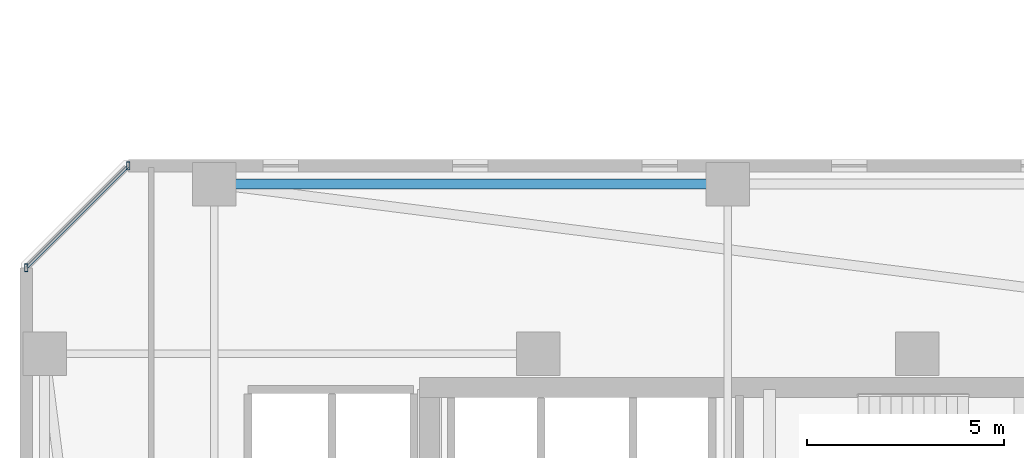
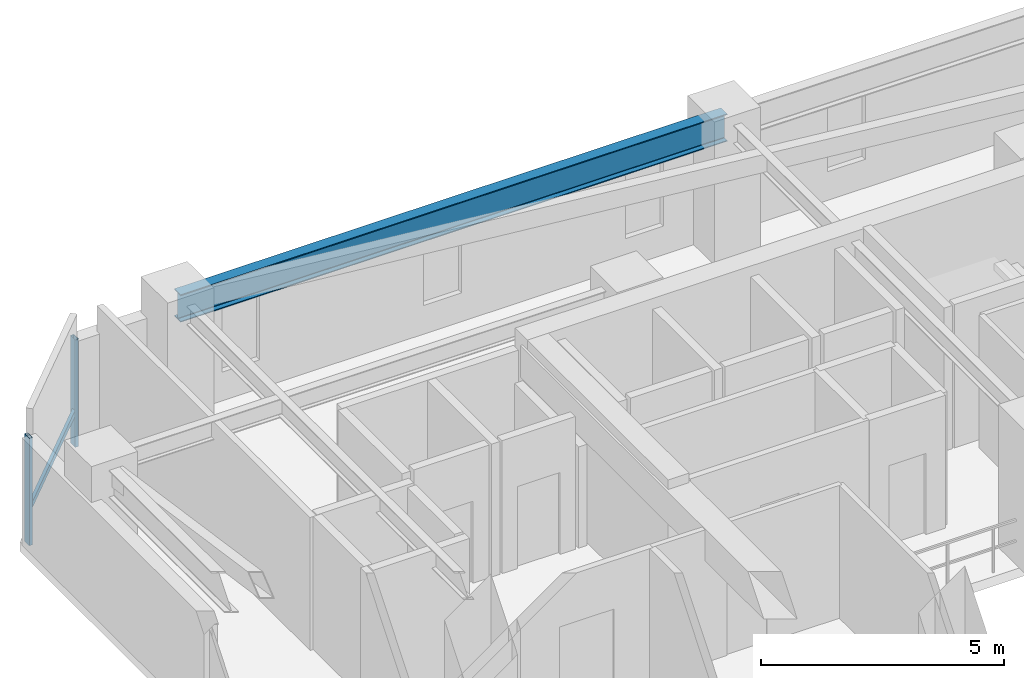
# One storey, part 8 of 33: 3 members, 1 beam, 1 element without a shape of its own.
"""IFC4 building model written with IfcOpenShell, lengths in metres."""

from ifc_helpers import new_model, si_unit, direction, frame, origin, origin_2d, place, context, subcontext, project, spatial, hollow_rectangle, i_section, extrude, material, material_profile, profile_set, type_object, element, aggregate, save


model = new_model("IFC4")

# Units and contexts
model_context = context("Model", 3, precision=1e-05, world=origin(), true_north=direction((0.0, 1.0)))
body_context = subcontext(model_context, "Body", "Model", "MODEL_VIEW")
ifc_project = project(units=[si_unit("LENGTHUNIT", "METRE"), si_unit("AREAUNIT", "SQUARE_METRE"), si_unit("VOLUMEUNIT", "CUBIC_METRE"), si_unit("PLANEANGLEUNIT", "RADIAN"), si_unit("MASSUNIT", "GRAM", prefix="KILO")], contexts=[model_context])

# Site, building, storey
site_placement = place(None, origin())
site = spatial("IfcSite", under=ifc_project, at=site_placement, CompositionType="ELEMENT")
building_placement = place(site_placement, origin())
building = spatial("IfcBuilding", under=site, at=building_placement, Name="Thornwick Lancets Civic Towers", CompositionType="ELEMENT")
storey_placement = place(building_placement, frame((0.0, 0.0, 163.5)))
storey = spatial("IfcBuildingStorey", under=building, at=storey_placement, Name="L43", CompositionType="ELEMENT", Elevation=163.5)

# Beam
ifc_material_1 = material(Name="Steel S355JR", Category="steel")
ifc_material_profile_1 = material_profile(ifc_material_1, i_section(OverallWidth=0.255859375, OverallDepth=0.69287109375, WebThickness=0.014404296875, FlangeThickness=0.023681640625, FilletRadius=0.01513671875, at=origin_2d()), Name="UKB 686x254x170")
ifc_profile_set_1 = profile_set([ifc_material_profile_1], Name="Steel S355JR")
beam_type = type_object("IfcBeamType", Name="BM_GIRD_686_170", PredefinedType="BEAM", material=ifc_profile_set_1)
beam_placement = place(storey_placement, frame((12.5, 44.300048828125, 3.013671875), z_axis=(1.0, 0.0, 0.0), x_axis=(0.0, 1.0, 0.0)))
element("IfcBeam", 1, at=beam_placement, inside=storey, type_object=beam_type, Name="BM-SPINE-L43-A-6-7", PredefinedType="BEAM", context=body_context, shape_type="SweptSolid", body=[
    extrude(i_section(OverallWidth=0.255859375, OverallDepth=0.69287109375, WebThickness=0.014404296875, FlangeThickness=0.023681640625, FilletRadius=0.01513671875, at=origin_2d()), origin(), (0.0, 0.0, 1.0), 13.0),
])

# Curtain wall, members
ifc_material_2 = material(Name="Mid-zone chamfered-corner unitised glass curtain wall", Category="glass")
curtain_wall_type = type_object("IfcCurtainWallType", Name="CW_SYS_04", PredefinedType="NOTDEFINED", material=ifc_material_2)
curtain_wall_placement = place(storey_placement, origin())
curtain_wall = element("IfcCurtainWall", 2, at=curtain_wall_placement, inside=storey, type_object=curtain_wall_type, Name="L43 Curtain Wall CW-L43-A-E5", PredefinedType="NOTDEFINED")
ifc_material_3 = material(Name="Thermally broken bronze aluminium S355", Category="steel")
ifc_material_profile_2 = material_profile(ifc_material_3, hollow_rectangle(XDim=0.080078125, YDim=0.199951171875, WallThickness=0.006103515625, at=origin_2d()), Name="RHS 200x80x6")
ifc_profile_set_2 = profile_set([ifc_material_profile_2], Name="Thermally broken bronze aluminium S355")
member_type_1 = type_object("IfcMemberType", Name="CW_MUL_200", PredefinedType="MULLION", material=ifc_profile_set_2)
member_1_placement = place(storey_placement, frame((10.318603515625, 44.7646484375, 0.0), z_axis=(0.0, 0.0, 1.0), x_axis=(1.0, 0.0, 0.0)))
member_1 = element("IfcMember", 3, at=member_1_placement, type_object=member_type_1, Name="CW-L43-A-E5 Mullion 0", PredefinedType="MULLION", context=body_context, shape_type="SweptSolid", body=[
    extrude(hollow_rectangle(XDim=0.080078125, YDim=0.199951171875, WallThickness=0.006103515625, at=origin_2d()), origin(), (0.0, 0.0, 1.0), 2.699951171875),
])
member_2_placement = place(storey_placement, frame((7.7353515625, 42.181396484375, 0.0), z_axis=(0.0, 0.0, 1.0), x_axis=(1.0, 0.0, 0.0)))
member_2 = element("IfcMember", 4, at=member_2_placement, type_object=member_type_1, Name="CW-L43-A-E5 Mullion 1", PredefinedType="MULLION", context=body_context, shape_type="SweptSolid", body=[
    extrude(hollow_rectangle(XDim=0.080078125, YDim=0.199951171875, WallThickness=0.006103515625, at=origin_2d()), origin(), (0.0, 0.0, 1.0), 2.699951171875),
])
ifc_material_profile_3 = material_profile(ifc_material_3, hollow_rectangle(XDim=0.074951171875, YDim=0.14990234375, WallThickness=0.0048828125, at=origin_2d()), Name="RHS 150x75x5")
ifc_profile_set_3 = profile_set([ifc_material_profile_3], Name="Thermally broken bronze aluminium S355")
member_type_2 = type_object("IfcMemberType", Name="CW_TRN_150", PredefinedType="USERDEFINED", material=ifc_profile_set_3)
member_3_placement = place(storey_placement, frame((10.304443359375, 44.75048828125, 0.85009765625), z_axis=(-0.707106781187, -0.707106781187, 0.0), x_axis=(0.707106781187, -0.707106781187, 0.0)))
member_3 = element("IfcMember", 5, at=member_3_placement, type_object=member_type_2, Name="CW-L43-A-E5 Transom 0", ObjectType="TRANSOM", PredefinedType="USERDEFINED", context=body_context, shape_type="SweptSolid", body=[
    extrude(hollow_rectangle(XDim=0.074951171875, YDim=0.14990234375, WallThickness=0.0048828125, at=origin_2d()), origin(), (0.0, 0.0, 1.0), 3.61328125),
])
aggregate(curtain_wall, [member_1, member_2, member_3])

save(model, "model.ifc")
